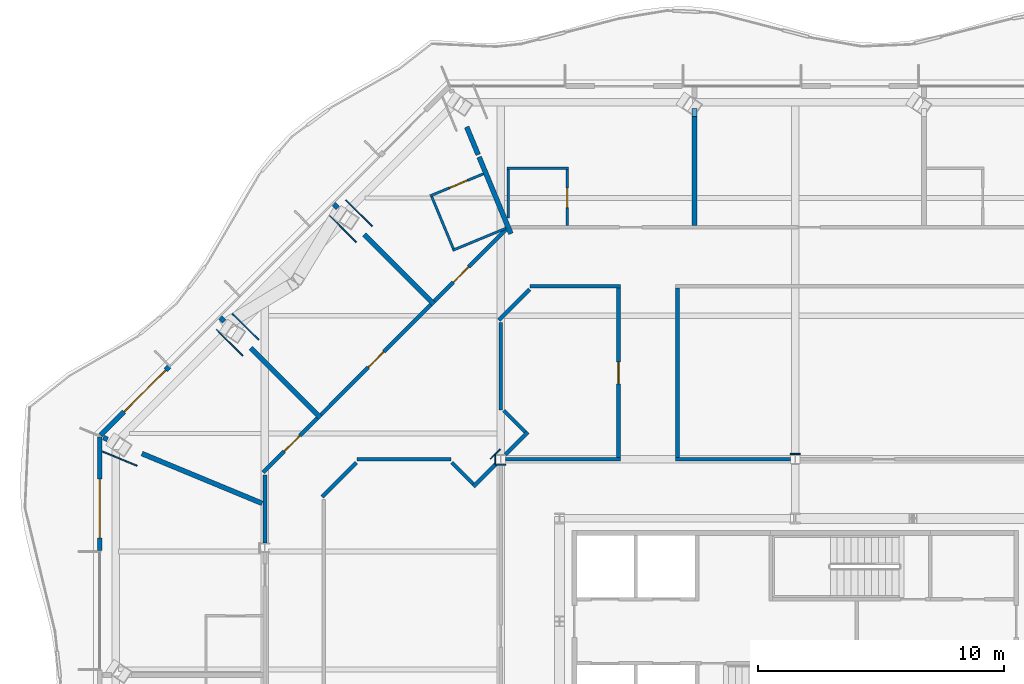
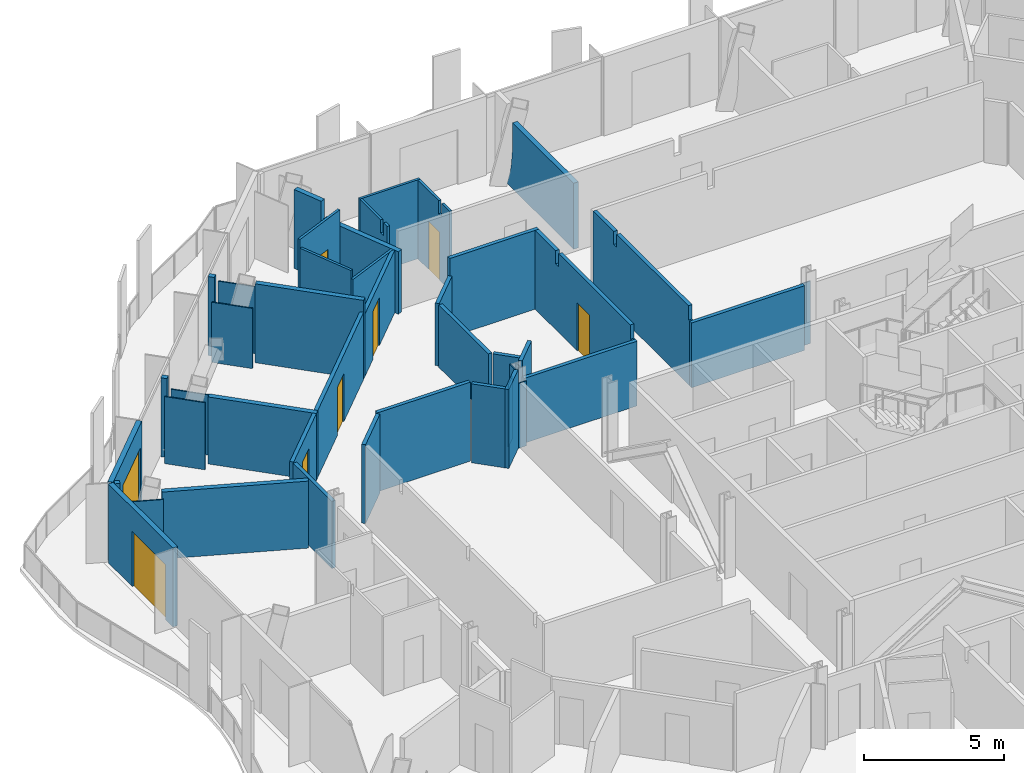
# One storey, part 12 of 22: 43 walls, 8 doors, 8 openings.
"""IFC4 building model written with IfcOpenShell, lengths in metres."""

import ifcopenshell
import ifcopenshell.guid

model = None  # the IFC model being written
_history = None  # IfcOwnerHistory: only IFC2X3 demands one
_inside = {}  # id of a spatial element -> (the spatial element, [elements in it])
_under = {}  # id of a project, library or spatial element -> (it, [spatial elements below it])
_declared = {}  # id of a project -> (the project, [libraries it declares])
_typed = {}  # id of a type object -> (the type object, [elements of that type])
_made_of = {}  # id of a material, layer set ... -> (it, [elements and type objects made of it])


def new_model(schema):
    """Start an empty IFC model of exactly this schema.

    Asked for "IFC4X3", IfcOpenShell would pick the latest addendum, in which some entities
    have other attributes; the version numbers below select the first issue.
    IFC2X3 requires an IfcOwnerHistory on every rooted entity: one is made here for all.
    """
    global model, _history
    if schema == "IFC4X3":
        model = ifcopenshell.file(schema_version=(4, 3, 0, 0))
    else:
        model = ifcopenshell.file(schema=schema)
    _inside.clear()
    _under.clear()
    _declared.clear()
    _typed.clear()
    _made_of.clear()
    _history = None
    if model.schema == "IFC2X3":
        org = make("IfcOrganization", Name="unknown")
        user = make(
            "IfcPersonAndOrganization",
            ThePerson=make("IfcPerson", FamilyName="unknown"),
            TheOrganization=org,
        )
        app = make(
            "IfcApplication",
            ApplicationDeveloper=org,
            Version="unknown",
            ApplicationFullName="unknown",
            ApplicationIdentifier="unknown",
        )
        _history = make(
            "IfcOwnerHistory",
            OwningUser=user,
            OwningApplication=app,
            ChangeAction="ADDED",
            CreationDate=0,
        )
    return model


def make(cls, **values):
    """One entity of the class cls with the attributes given. An attribute that is None is left unset."""
    return model.create_entity(
        cls, **{name: value for name, value in values.items() if value is not None}
    )


def rooted(cls, **values):
    """An entity with a GlobalId (a new one), such as an element, a storey or a relation."""
    return make(cls, GlobalId=ifcopenshell.guid.new(), OwnerHistory=_history, **values)


def si_unit(unit_type, name, prefix=None):
    """IfcSIUnit, for example si_unit("LENGTHUNIT", "METRE", prefix="MILLI")."""
    return make("IfcSIUnit", UnitType=unit_type, Prefix=prefix, Name=name)


def assignment(units):
    """IfcUnitAssignment: the units of a project."""
    return None if units is None else make("IfcUnitAssignment", Units=units)


def point(xyz):
    """IfcCartesianPoint."""
    return None if xyz is None else make("IfcCartesianPoint", Coordinates=xyz)


def direction(xyz):
    """IfcDirection."""
    return None if xyz is None else make("IfcDirection", DirectionRatios=xyz)


def frame(location, z_axis=None, x_axis=None):
    """IfcAxis2Placement3D, a coordinate frame: its origin and axes. An axis left out is left unset."""
    return make(
        "IfcAxis2Placement3D",
        Location=point(location),
        Axis=direction(z_axis),
        RefDirection=direction(x_axis),
    )


def frame_2d(location, x_axis=None):
    """IfcAxis2Placement2D, a coordinate frame in the plane: its origin and x axis."""
    return make(
        "IfcAxis2Placement2D", Location=point(location), RefDirection=direction(x_axis)
    )


def origin():
    """The frame at (0, 0, 0) with its axes left unset."""
    return frame((0.0, 0.0, 0.0))


def place(relative_to, where):
    """IfcLocalPlacement: puts the frame where relative to a parent placement (None: the world)."""
    return make(
        "IfcLocalPlacement", PlacementRelTo=relative_to, RelativePlacement=where
    )


def context(
    kind, dimensions, precision=None, world=None, true_north=None, identifier=None
):
    """IfcGeometricRepresentationContext, for example the 3D "Model" context."""
    return make(
        "IfcGeometricRepresentationContext",
        ContextIdentifier=identifier,
        ContextType=kind,
        CoordinateSpaceDimension=dimensions,
        Precision=precision,
        WorldCoordinateSystem=world,
        TrueNorth=true_north,
    )


def subcontext(parent, identifier, kind, view, scale=None):
    """IfcGeometricRepresentationSubContext, for example "Body" below "Model"."""
    return make(
        "IfcGeometricRepresentationSubContext",
        ContextIdentifier=identifier,
        ContextType=kind,
        ParentContext=parent,
        TargetScale=scale,
        TargetView=view,
    )


def project(units=None, contexts=None):
    """IfcProject with its units and contexts."""
    return rooted(
        "IfcProject",
        Name="project",
        RepresentationContexts=contexts,
        UnitsInContext=assignment(units),
    )


def spatial(cls, under=None, at=None, **own):
    """A site, building, storey or space (cls), placed at a placement, below another one or the project."""
    s = rooted(cls, ObjectPlacement=at, **own)
    if under is not None:
        _under.setdefault(under.id(), (under, []))[1].append(s)
    return s


def polyline(points):
    """IfcPolyline through the points."""
    return make("IfcPolyline", Points=[point(p) for p in points])


def profile(cls, at=None, kind="AREA", **sizes):
    """A parametric profile (cls). Its sizes go by their IFC names, for example OverallWidth=200.0."""
    return make(cls, ProfileType=kind, Position=at, **sizes)


def rectangle(**sizes):
    """IfcRectangleProfileDef."""
    return profile("IfcRectangleProfileDef", **sizes)


def outline(outer, holes=None, kind="AREA"):
    """IfcArbitraryClosedProfileDef: a profile drawn as a closed curve; with holes, ...WithVoids."""
    if holes is None:
        return make("IfcArbitraryClosedProfileDef", ProfileType=kind, OuterCurve=outer)
    return make(
        "IfcArbitraryProfileDefWithVoids",
        ProfileType=kind,
        OuterCurve=outer,
        InnerCurves=holes,
    )


def extrude(swept, where, along, depth):
    """IfcExtrudedAreaSolid: the profile swept, set in the frame where, extruded along a direction by depth."""
    return make(
        "IfcExtrudedAreaSolid",
        SweptArea=swept,
        Position=where,
        ExtrudedDirection=direction(along),
        Depth=depth,
    )


def shape(context_of_items, identifier, shape_type, items):
    """IfcShapeRepresentation: the items that make up one representation, for example the "Body"."""
    return make(
        "IfcShapeRepresentation",
        ContextOfItems=context_of_items,
        RepresentationIdentifier=identifier,
        RepresentationType=shape_type,
        Items=items,
    )


def material(Name=None, Category=None):
    """IfcMaterial."""
    return make("IfcMaterial", Name=Name, Category=Category)


def layer(
    of_material, thickness, ventilated=None, Name=None, Category=None, Priority=None
):
    """IfcMaterialLayer: one layer of a wall or slab, of a material (None: an air gap)."""
    return make(
        "IfcMaterialLayer",
        Material=of_material,
        LayerThickness=thickness,
        IsVentilated=ventilated,
        Name=Name,
        Category=Category,
        Priority=Priority,
    )


def layer_set(layers, Name=None):
    """IfcMaterialLayerSet."""
    return make("IfcMaterialLayerSet", MaterialLayers=layers, LayerSetName=Name)


def made_of(thing, what):
    """Note that an element or type object is made of a material, layer set ...; save() writes the relation."""
    if what is not None:
        _made_of.setdefault(what.id(), (what, []))[1].append(thing)
    return thing


def type_object(cls, material=None, **own):
    """A type object (cls), such as IfcWallType, which elements share."""
    return made_of(rooted(cls, **own), material)


def element(
    cls,
    number,
    at=None,
    inside=None,
    cuts=None,
    type_object=None,
    material=None,
    context=None,
    identifier="Body",
    shape_type=None,
    held_by="IfcProductDefinitionShape",
    body=None,
    shapes=None,
    **own,
):
    """One element of the class cls, such as IfcWall. Its Tag is "e" and its number.

    at: its placement. inside: the storey or other place that contains it. cuts: it is an
    opening in that element (IfcRelVoidsElement). A single representation is given by context,
    identifier, shape_type and body (its items); several are given by shapes. held_by: the class
    of the entity that holds the representations. save() writes the other relations.
    """
    e = rooted(cls, Tag="e%d" % number, ObjectPlacement=at, **own)
    if body is not None:
        shapes = [shape(context, identifier, shape_type, body)]
    if shapes is not None:
        e.Representation = make(held_by, Representations=shapes)
    if inside is not None:
        _inside.setdefault(inside.id(), (inside, []))[1].append(e)
    if cuts is not None:
        rooted(
            "IfcRelVoidsElement", RelatingBuildingElement=cuts, RelatedOpeningElement=e
        )
    if type_object is not None:
        _typed.setdefault(type_object.id(), (type_object, []))[1].append(e)
    return made_of(e, material)


def fill(opening, filler):
    """IfcRelFillsElement: the door or window that sits in an opening."""
    return rooted(
        "IfcRelFillsElement",
        RelatingOpeningElement=opening,
        RelatedBuildingElement=filler,
    )


def aggregate(whole, parts):
    """IfcRelAggregates: a whole, such as a stair, and the parts it consists of."""
    return rooted("IfcRelAggregates", RelatingObject=whole, RelatedObjects=parts)


def save(model, path):
    """Write the relations noted so far, then the file.

    IfcRelAggregates (storeys below a building ...), IfcRelContainedInSpatialStructure (elements
    in a storey), IfcRelDefinesByType, IfcRelAssociatesMaterial and IfcRelDeclares: one each for
    every whole, place, type object, material and project.
    """
    for whole, parts in _under.values():
        aggregate(whole, parts)
    for where, things in _inside.values():
        rooted(
            "IfcRelContainedInSpatialStructure",
            RelatedElements=things,
            RelatingStructure=where,
        )
    for kind, things in _typed.values():
        rooted("IfcRelDefinesByType", RelatedObjects=things, RelatingType=kind)
    for what, things in _made_of.values():
        rooted("IfcRelAssociatesMaterial", RelatedObjects=things, RelatingMaterial=what)
    for by, libraries in _declared.values():
        rooted("IfcRelDeclares", RelatingContext=by, RelatedDefinitions=libraries)
    model.write(path)


model = new_model("IFC4")

# Units and contexts
model_context = context("Model", 3, precision=1e-05, world=origin(), true_north=direction((0.0, 1.0)))
body_context = subcontext(model_context, "Body", "Model", "MODEL_VIEW")
ifc_project = project(units=[si_unit("LENGTHUNIT", "METRE"), si_unit("AREAUNIT", "SQUARE_METRE"), si_unit("VOLUMEUNIT", "CUBIC_METRE"), si_unit("PLANEANGLEUNIT", "RADIAN"), si_unit("MASSUNIT", "GRAM", prefix="KILO")], contexts=[model_context])

# Site, building, storey
site_placement = place(None, origin())
site = spatial("IfcSite", under=ifc_project, at=site_placement, CompositionType="ELEMENT")
building_placement = place(site_placement, origin())
building = spatial("IfcBuilding", under=site, at=building_placement, Name="Cairn Pilgrim Tower", CompositionType="ELEMENT")
storey_placement = place(building_placement, frame((0.0, 0.0, 175.800048828125)))
storey = spatial("IfcBuildingStorey", under=building, at=storey_placement, Name="L44", CompositionType="ELEMENT", Elevation=175.800048828125)

# Wall, opening, door
ifc_material_1 = material(Name="Bronze anodised aluminium insulated sandwich panel with mineral wool fill", Category="aluminium")
ifc_layer_1 = layer(ifc_material_1, 0.199951171875)
ifc_layer_set_1 = layer_set([ifc_layer_1], Name="BRONZE INFILL FRAME WALL 200")
wall_type_1 = type_object("IfcWallType", Name="BRONZE INFILL FRAME WALL 200", PredefinedType="NOTDEFINED", material=ifc_layer_set_1)
wall_1_placement = place(storey_placement, frame((-18.29541015625, 16.975830078125, 0.0), z_axis=(0.0, 0.0, 1.0), x_axis=(-0.707137595296, -0.707075965734, 0.0)))
wall_1 = element("IfcWall", 1, at=wall_1_placement, inside=storey, type_object=wall_type_1, Name="Bronze infill frame wall IW-NW5", PredefinedType="NOTDEFINED", context=body_context, shape_type="SweptSolid", body=[
    extrude(rectangle(XDim=3.96142578125, YDim=0.199951171875, at=frame_2d((1.980712890625, 0.0))), origin(), (0.0, 0.0, 1.0), 3.449951171875),
])
opening_1_placement = place(wall_1_placement, frame((0.199951171875, 0.0, 0.0)))
opening_1 = element("IfcOpeningElement", 2, at=opening_1_placement, cuts=wall_1, Name="Opening 4415B", PredefinedType="OPENING", context=body_context, shape_type="SweptSolid", body=[
    extrude(rectangle(XDim=2.39990234375, YDim=2.39990234375, at=frame_2d((1.199951171875, 1.199951171875))), frame((0.0, 0.10986328125, 0.0), z_axis=(0.0, -1.0, 0.0), x_axis=(1.0, 0.0, 0.0)), (0.0, 0.0, 1.0), 0.219970703125),
])
ifc_material_2 = material(Name="Bronze anodised aluminium frame with tinted low-E glass", Category="aluminium")
door_type_1 = type_object("IfcDoorType", Name="BALCONY SLIDING DOOR 2400x2400", OperationType="DOUBLE_DOOR_SLIDING", PredefinedType="DOOR", material=ifc_material_2)
door_1_placement = place(opening_1_placement, origin())
door_1 = element("IfcDoor", 3, at=door_1_placement, inside=storey, type_object=door_type_1, Name="Balcony sliding door 4415B", OperationType="SINGLE_SWING_LEFT", OverallHeight=2.39990234375, OverallWidth=2.39990234375, PredefinedType="DOOR", context=body_context, shape_type="SweptSolid", body=[
    extrude(rectangle(XDim=2.39990234375, YDim=2.39990234375, at=frame_2d((1.199951171875, 1.199951171875))), frame((0.0, 0.02490234375, 0.0), z_axis=(0.0, -1.0, 0.0), x_axis=(1.0, 0.0, 0.0)), (0.0, 0.0, 1.0), 0.050048828125),
])
fill(opening_1, door_1)

wall_2_placement = place(storey_placement, frame((-21.125, 14.1064453125, 0.0), z_axis=(0.0, 0.0, 1.0), x_axis=(0.0, -1.0, 0.0)))
wall_2 = element("IfcWall", 4, at=wall_2_placement, inside=storey, type_object=wall_type_1, Name="Bronze infill frame wall IW-W1", PredefinedType="NOTDEFINED", context=body_context, shape_type="SweptSolid", body=[
    extrude(rectangle(XDim=4.62646484375, YDim=0.199951171875, at=frame_2d((2.313232421875, 0.0))), origin(), (0.0, 0.0, 1.0), 3.449951171875),
])
opening_2_placement = place(wall_2_placement, frame((1.70849609375, 0.0, 0.0)))
opening_2 = element("IfcOpeningElement", 5, at=opening_2_placement, cuts=wall_2, Name="Opening 4416B", PredefinedType="OPENING", context=body_context, shape_type="SweptSolid", body=[
    extrude(rectangle(XDim=2.39990234375, YDim=2.39990234375, at=frame_2d((1.199951171875, 1.199951171875))), frame((0.0, 0.10986328125, 0.0), z_axis=(0.0, -1.0, 0.0), x_axis=(1.0, 0.0, 0.0)), (0.0, 0.0, 1.0), 0.219970703125),
])
door_2_placement = place(opening_2_placement, origin())
door_2 = element("IfcDoor", 6, at=door_2_placement, inside=storey, type_object=door_type_1, Name="Balcony sliding door 4416B", OperationType="SINGLE_SWING_LEFT", OverallHeight=2.39990234375, OverallWidth=2.39990234375, PredefinedType="DOOR", context=body_context, shape_type="SweptSolid", body=[
    extrude(rectangle(XDim=2.39990234375, YDim=2.39990234375, at=frame_2d((1.199951171875, 1.199951171875))), frame((0.0, 0.02490234375, 0.0), z_axis=(0.0, -1.0, 0.0), x_axis=(1.0, 0.0, 0.0)), (0.0, 0.0, 1.0), 0.050048828125),
])
fill(opening_2, door_2)

# Walls
ifc_material_3 = material(Name="Gypsum partition")
ifc_layer_2 = layer(ifc_material_3, 0.10009765625)
ifc_layer_set_2 = layer_set([ifc_layer_2], Name="PARTITION 100 DRYWALL")
wall_type_2 = type_object("IfcWallType", Name="PARTITION 100 DRYWALL", PredefinedType="PARTITIONING", material=ifc_layer_set_2)
wall_3_placement = place(storey_placement, frame((-6.753173828125, 21.712890625, 0.0), z_axis=(0.0, 0.0, 1.0), x_axis=(0.923907921622, 0.382614887798, 0.0)))
element("IfcWall", 7, at=wall_3_placement, inside=storey, type_object=wall_type_2, Name="PARTITION W110", PredefinedType="PARTITIONING", context=body_context, shape_type="SweptSolid", body=[
    extrude(rectangle(XDim=2.349365234375, YDim=0.10009765625, at=frame_2d((1.1748046875, 0.0))), origin(), (0.0, 0.0, 1.0), 2.72998046875),
])
wall_4_placement = place(storey_placement, frame((-6.726318359375, 21.7783203125, 0.0), z_axis=(0.0, 0.0, 1.0), x_axis=(-0.382911179632, 0.923785163614, 0.0)))
element("IfcWall", 8, at=wall_4_placement, inside=storey, type_object=wall_type_2, Name="PARTITION W111", PredefinedType="PARTITIONING", context=body_context, shape_type="SweptSolid", body=[
    extrude(rectangle(XDim=2.2998046875, YDim=0.10009765625, at=frame_2d((1.14990234375, 0.0))), origin(), (0.0, 0.0, 1.0), 3.070068359375),
])

# Wall, opening, door
wall_5_placement = place(storey_placement, frame((-2.090087890625, 22.72509765625, 0.0), z_axis=(0.0, 0.0, 1.0), x_axis=(0.0, 1.0, 0.0)))
wall_5 = element("IfcWall", 9, at=wall_5_placement, inside=storey, type_object=wall_type_2, Name="PARTITION W115", PredefinedType="PARTITIONING", context=body_context, shape_type="SweptSolid", body=[
    extrude(outline(polyline([(0.0, 0.0), (2.27490234375, 0.0), (2.27490234375, 3.449951171875), (0.780029296875, 3.449951171875), (0.778076171875, 2.8798828125), (0.570068359375, 2.8798828125), (0.568115234375, 3.449951171875), (0.0, 3.449951171875), (0.0, 0.0)])), frame((0.0, 0.050048828125, 0.0), z_axis=(0.0, -1.0, 0.0), x_axis=(1.0, 0.0, 0.0)), (0.0, 0.0, 1.0), 0.10009765625),
])
opening_3_placement = place(wall_5_placement, frame((0.72509765625, 0.0, 0.0)))
opening_3 = element("IfcOpeningElement", 10, at=opening_3_placement, cuts=wall_5, Name="Opening 4412A", PredefinedType="OPENING", context=body_context, shape_type="SweptSolid", body=[
    extrude(rectangle(XDim=0.800048828125, YDim=2.10009765625, at=frame_2d((0.39990234375, 1.050048828125))), frame((0.0, 0.06005859375, 0.0), z_axis=(0.0, -1.0, 0.0), x_axis=(1.0, 0.0, 0.0)), (0.0, 0.0, 1.0), 0.1201171875),
])
ifc_material_4 = material(Name="Timber door leaf", Category="wood")
door_type_2 = type_object("IfcDoorType", Name="WC DOOR 800x2100", OperationType="NOTDEFINED", PredefinedType="DOOR", material=ifc_material_4)
door_3_placement = place(opening_3_placement, frame((0.800048828125, 0.0, 0.0), z_axis=(0.0, 0.0, 1.0), x_axis=(-1.0, 0.0, 0.0)))
door_3 = element("IfcDoor", 11, at=door_3_placement, inside=storey, type_object=door_type_2, Name="DOOR 4412A", OperationType="SINGLE_SWING_LEFT", OverallHeight=2.10009765625, OverallWidth=0.800048828125, PredefinedType="DOOR", context=body_context, shape_type="SweptSolid", body=[
    extrude(rectangle(XDim=0.800048828125, YDim=2.10009765625, at=frame_2d((0.39990234375, 1.050048828125))), frame((0.0, 0.02490234375, 0.0), z_axis=(0.0, -1.0, 0.0), x_axis=(1.0, 0.0, 0.0)), (0.0, 0.0, 1.0), 0.050048828125),
])
fill(opening_3, door_3)

# Wall
wall_6_placement = place(storey_placement, frame((-4.489990234375, 23.031982421875, 0.0), z_axis=(0.0, 0.0, 1.0), x_axis=(0.0, 1.0, 0.0)))
element("IfcWall", 12, at=wall_6_placement, inside=storey, type_object=wall_type_2, Name="PARTITION W121", PredefinedType="PARTITIONING", context=body_context, shape_type="SweptSolid", body=[
    extrude(outline(polyline([(0.0, 0.0), (1.968017578125, 0.0), (1.968017578125, 3.449951171875), (0.472900390625, 3.449951171875), (0.470947265625, 2.8798828125), (0.262939453125, 2.8798828125), (0.260986328125, 3.449951171875), (0.0, 3.449951171875), (0.0, 0.0)])), frame((0.0, 0.050048828125, 0.0), z_axis=(0.0, -1.0, 0.0), x_axis=(1.0, 0.0, 0.0)), (0.0, 0.0, 1.0), 0.10009765625),
])

# Wall, opening, door
wall_7_placement = place(storey_placement, frame((-7.672119140625, 23.929931640625, 0.0), z_axis=(0.0, 0.0, 1.0), x_axis=(0.923968736757, 0.382468003231, 0.0)))
wall_7 = element("IfcWall", 13, at=wall_7_placement, inside=storey, type_object=wall_type_2, Name="PARTITION W123", PredefinedType="PARTITIONING", context=body_context, shape_type="SweptSolid", body=[
    extrude(rectangle(XDim=2.350341796875, YDim=0.10009765625, at=frame_2d((1.17529296875, 0.0))), origin(), (0.0, 0.0, 1.0), 3.449951171875),
])
opening_4_placement = place(wall_7_placement, frame((0.8505859375, 0.0, 0.0)))
opening_4 = element("IfcOpeningElement", 14, at=opening_4_placement, cuts=wall_7, Name="Opening 4413A", PredefinedType="OPENING", context=body_context, shape_type="SweptSolid", body=[
    extrude(rectangle(XDim=0.800048828125, YDim=2.10009765625, at=frame_2d((0.39990234375, 1.050048828125))), frame((0.0, 0.06005859375, 0.0), z_axis=(0.0, -1.0, 0.0), x_axis=(1.0, 0.0, 0.0)), (0.0, 0.0, 1.0), 0.1201171875),
])
door_4_placement = place(opening_4_placement, origin())
door_4 = element("IfcDoor", 15, at=door_4_placement, inside=storey, type_object=door_type_2, Name="DOOR 4413A", OperationType="SINGLE_SWING_LEFT", OverallHeight=2.10009765625, OverallWidth=0.800048828125, PredefinedType="DOOR", context=body_context, shape_type="SweptSolid", body=[
    extrude(rectangle(XDim=0.800048828125, YDim=2.10009765625, at=frame_2d((0.39990234375, 1.050048828125))), frame((0.0, 0.02490234375, 0.0), z_axis=(0.0, -1.0, 0.0), x_axis=(1.0, 0.0, 0.0)), (0.0, 0.0, 1.0), 0.050048828125),
])
fill(opening_4, door_4)

# Walls
wall_8_placement = place(storey_placement, frame((-4.5400390625, 25.050048828125, 0.0), z_axis=(0.0, 0.0, 1.0), x_axis=(1.0, 0.0, 0.0)))
element("IfcWall", 16, at=wall_8_placement, inside=storey, type_object=wall_type_2, Name="PARTITION W124", PredefinedType="PARTITIONING", context=body_context, shape_type="SweptSolid", body=[
    extrude(rectangle(XDim=2.5, YDim=0.10009765625, at=frame_2d((1.25, 0.0))), origin(), (0.0, 0.0, 1.0), 3.449951171875),
])
ifc_layer_3 = layer(ifc_material_3, 0.14990234375)
ifc_layer_set_3 = layer_set([ifc_layer_3], Name="PARTITION 150 DRYWALL EI 60")
wall_type_3 = type_object("IfcWallType", Name="PARTITION 150 DRYWALL EI 60", PredefinedType="PARTITIONING", material=ifc_layer_set_3)
wall_9_placement = place(storey_placement, frame((-14.39990234375, 9.79638671875, 0.0), z_axis=(0.0, 0.0, 1.0), x_axis=(0.0, 1.0, 0.0)))
element("IfcWall", 17, at=wall_9_placement, inside=storey, type_object=wall_type_3, Name="PARTITION W068", PredefinedType="PARTITIONING", context=body_context, shape_type="SweptSolid", body=[
    extrude(rectangle(XDim=2.7626953125, YDim=0.14990234375, at=frame_2d((1.38134765625, 0.0))), origin(), (0.0, 0.0, 1.0), 2.929931640625),
])
wall_10_placement = place(storey_placement, frame((-12.074951171875, 11.6708984375, 0.0), z_axis=(0.0, 0.0, 1.0), x_axis=(0.707045167735, 0.70716838927, 0.0)))
element("IfcWall", 18, at=wall_10_placement, inside=storey, type_object=wall_type_3, Name="PARTITION W073", PredefinedType="PARTITIONING", context=body_context, shape_type="SweptSolid", body=[
    extrude(rectangle(XDim=1.981201171875, YDim=0.14990234375, at=frame_2d((0.99072265625, 0.0))), origin(), (0.0, 0.0, 1.0), 3.449951171875),
])
wall_11_placement = place(storey_placement, frame((-5.9140625, 12.0859375, 0.0), z_axis=(0.0, 0.0, 1.0), x_axis=(0.707106781187, 0.707106781187, 0.0)))
element("IfcWall", 19, at=wall_11_placement, inside=storey, type_object=wall_type_3, Name="PARTITION W075", PredefinedType="PARTITIONING", context=body_context, shape_type="SweptSolid", body=[
    extrude(rectangle(XDim=1.29541015625, YDim=0.14990234375, at=frame_2d((0.647705078125, 0.0))), origin(), (0.0, 0.0, 1.0), 3.449951171875),
])
wall_12_placement = place(storey_placement, frame((-5.9140625, 12.192138671875, 0.0), z_axis=(0.0, 0.0, 1.0), x_axis=(-0.706812296552, 0.70740114323, 0.0)))
element("IfcWall", 20, at=wall_12_placement, inside=storey, type_object=wall_type_3, Name="PARTITION W078", PredefinedType="PARTITIONING", context=body_context, shape_type="SweptSolid", body=[
    extrude(rectangle(XDim=1.243896484375, YDim=0.14990234375, at=frame_2d((0.6220703125, 0.0))), origin(), (0.0, 0.0, 1.0), 3.449951171875),
])

# Wall, opening, door
wall_13_placement = place(storey_placement, frame((-14.47509765625, 12.6650390625, 0.0), z_axis=(0.0, 0.0, 1.0), x_axis=(0.70726258305, 0.706950944987, 0.0)))
wall_13 = element("IfcWall", 21, at=wall_13_placement, inside=storey, type_object=wall_type_3, Name="PARTITION W080", PredefinedType="PARTITIONING", context=body_context, shape_type="SweptSolid", body=[
    extrude(rectangle(XDim=3.133544921875, YDim=0.14990234375, at=frame_2d((1.56689453125, 0.0))), origin(), (0.0, 0.0, 1.0), 2.929931640625),
])
opening_5_placement = place(wall_13_placement, frame((1.219970703125, 0.0, 0.0)))
opening_5 = element("IfcOpeningElement", 22, at=opening_5_placement, cuts=wall_13, Name="Opening 4415", PredefinedType="OPENING", context=body_context, shape_type="SweptSolid", body=[
    extrude(rectangle(XDim=0.89990234375, YDim=2.10009765625, at=frame_2d((0.449951171875, 1.050048828125))), frame((0.0, 0.0849609375, 0.0), z_axis=(0.0, -1.0, 0.0), x_axis=(1.0, 0.0, 0.0)), (0.0, 0.0, 1.0), 0.169921875),
])
door_type_3 = type_object("IfcDoorType", Name="ROOM DOOR 900x2100 FD30S", OperationType="NOTDEFINED", PredefinedType="DOOR", material=ifc_material_4)
door_5_placement = place(opening_5_placement, origin())
door_5 = element("IfcDoor", 23, at=door_5_placement, inside=storey, type_object=door_type_3, Name="DOOR 4415", OperationType="SINGLE_SWING_LEFT", OverallHeight=2.10009765625, OverallWidth=0.89990234375, PredefinedType="DOOR", context=body_context, shape_type="SweptSolid", body=[
    extrude(rectangle(XDim=0.89990234375, YDim=2.10009765625, at=frame_2d((0.449951171875, 1.050048828125))), frame((0.0, 0.02490234375, 0.0), z_axis=(0.0, -1.0, 0.0), x_axis=(1.0, 0.0, 0.0)), (0.0, 0.0, 1.0), 0.050048828125),
])
fill(opening_5, door_5)

# Walls
wall_14_placement = place(storey_placement, frame((-10.652099609375, 13.199951171875, 0.0), z_axis=(0.0, 0.0, 1.0), x_axis=(1.0, 0.0, 0.0)))
element("IfcWall", 24, at=wall_14_placement, inside=storey, type_object=wall_type_3, Name="PARTITION W083", PredefinedType="PARTITIONING", context=body_context, shape_type="SweptSolid", body=[
    extrude(rectangle(XDim=3.8369140625, YDim=0.14990234375, at=frame_2d((1.91845703125, 0.0))), origin(), (0.0, 0.0, 1.0), 3.449951171875),
])
for number, where, z_axis, x_axis, name in (
    (25, (-4.6005859375, 13.199951171875, 0.0), (0.0, 0.0, 1.0), (1.0, 0.0, 0.0), "PARTITION W084"),
    (26, (2.324951171875, 13.199951171875, 0.0), (0.0, 0.0, 1.0), (1.0, 0.0, 0.0), "PARTITION W085"),
):
    element("IfcWall", number, at=place(storey_placement, frame(where, z_axis=z_axis, x_axis=x_axis)), inside=storey, type_object=wall_type_3, Name=name, PredefinedType="PARTITIONING", context=body_context, shape_type="SweptSolid", body=[
        extrude(rectangle(XDim=4.675537109375, YDim=0.14990234375, at=frame_2d((2.337890625, 0.0))), origin(), (0.0, 0.0, 1.0), 2.829833984375),
    ])

# Wall, opening, door
wall_15_placement = place(storey_placement, frame((0.0, 13.27490234375, 0.0), z_axis=(0.0, 0.0, 1.0), x_axis=(0.0, 1.0, 0.0)))
wall_15 = element("IfcWall", 27, at=wall_15_placement, inside=storey, type_object=wall_type_3, Name="PARTITION W088", PredefinedType="PARTITIONING", context=body_context, shape_type="SweptSolid", body=[
    extrude(outline(polyline([(0.0, 0.0), (6.900146484375, 0.0), (6.89990234375, 3.449951171875), (5.429931640625, 3.449951171875), (5.427978515625, 2.8798828125), (5.219970703125, 2.8798828125), (5.218017578125, 3.449951171875), (0.074951171875, 3.449951171875), (0.072998046875, 2.829833984375), (0.0, 2.829833984375), (0.0, 0.0)])), frame((0.0, 0.074951171875, 0.0), z_axis=(0.0, -1.0, 0.0), x_axis=(1.0, 0.0, 0.0)), (0.0, 0.0, 1.0), 0.14990234375),
])
opening_6_placement = place(wall_15_placement, frame((3.0, 0.0, 0.0)))
opening_6 = element("IfcOpeningElement", 28, at=opening_6_placement, cuts=wall_15, Name="Opening 4428", PredefinedType="OPENING", context=body_context, shape_type="SweptSolid", body=[
    extrude(rectangle(XDim=0.89990234375, YDim=2.10009765625, at=frame_2d((0.449951171875, 1.050048828125))), frame((0.0, 0.0849609375, 0.0), z_axis=(0.0, -1.0, 0.0), x_axis=(1.0, 0.0, 0.0)), (0.0, 0.0, 1.0), 0.169921875),
])
door_type_4 = type_object("IfcDoorType", Name="SERVICE DOOR 900x2100 FD30S", OperationType="NOTDEFINED", PredefinedType="DOOR", material=ifc_material_4)
door_6_placement = place(opening_6_placement, origin())
door_6 = element("IfcDoor", 29, at=door_6_placement, inside=storey, type_object=door_type_4, Name="DOOR 4428", OperationType="SINGLE_SWING_RIGHT", OverallHeight=2.10009765625, OverallWidth=0.89990234375, PredefinedType="DOOR", context=body_context, shape_type="SweptSolid", body=[
    extrude(rectangle(XDim=0.89990234375, YDim=2.10009765625, at=frame_2d((0.449951171875, 1.050048828125))), frame((0.0, 0.02490234375, 0.0), z_axis=(0.0, -1.0, 0.0), x_axis=(1.0, 0.0, 0.0)), (0.0, 0.0, 1.0), 0.050048828125),
])
fill(opening_6, door_6)

# Walls
wall_16_placement = place(storey_placement, frame((2.39990234375, 13.27490234375, 0.0), z_axis=(0.0, 0.0, 1.0), x_axis=(0.0, 1.0, 0.0)))
element("IfcWall", 30, at=wall_16_placement, inside=storey, type_object=wall_type_3, Name="PARTITION W089", PredefinedType="PARTITIONING", context=body_context, shape_type="SweptSolid", body=[
    extrude(outline(polyline([(0.0, 0.0), (6.900146484375, 0.0), (6.89990234375, 3.449951171875), (5.429931640625, 3.449951171875), (5.427978515625, 2.8798828125), (5.219970703125, 2.8798828125), (5.218017578125, 3.449951171875), (0.074951171875, 3.449951171875), (0.072998046875, 2.829833984375), (0.0, 2.829833984375), (0.0, 0.0)])), frame((0.0, 0.074951171875, 0.0), z_axis=(0.0, -1.0, 0.0), x_axis=(1.0, 0.0, 0.0)), (0.0, 0.0, 1.0), 0.14990234375),
])
wall_17_placement = place(storey_placement, frame((-4.60205078125, 13.39794921875, 0.0), z_axis=(0.0, 0.0, 1.0), x_axis=(0.707106781187, 0.707106781187, 0.0)))
element("IfcWall", 31, at=wall_17_placement, inside=storey, type_object=wall_type_3, Name="PARTITION W090", PredefinedType="PARTITIONING", context=body_context, shape_type="SweptSolid", body=[
    extrude(rectangle(XDim=1.2958984375, YDim=0.14990234375, at=frame_2d((0.64794921875, 0.0))), origin(), (0.0, 0.0, 1.0), 3.449951171875),
])
wall_18_placement = place(storey_placement, frame((-3.7919921875, 14.31396484375, 0.0), z_axis=(0.0, 0.0, 1.0), x_axis=(-0.707499182195, 0.706714162298, 0.0)))
element("IfcWall", 32, at=wall_18_placement, inside=storey, type_object=wall_type_3, Name="PARTITION W095", PredefinedType="PARTITIONING", context=body_context, shape_type="SweptSolid", body=[
    extrude(rectangle(XDim=1.243896484375, YDim=0.14990234375, at=frame_2d((0.6220703125, 0.0))), origin(), (0.0, 0.0, 1.0), 2.72998046875),
])

# Wall, opening, door
wall_19_placement = place(storey_placement, frame((-12.1171875, 15.021728515625, 0.0), z_axis=(0.0, 0.0, 1.0), x_axis=(0.70701050414, 0.707203045127, 0.0)))
wall_19 = element("IfcWall", 33, at=wall_19_placement, inside=storey, type_object=wall_type_3, Name="PARTITION W098", PredefinedType="PARTITIONING", context=body_context, shape_type="SweptSolid", body=[
    extrude(rectangle(XDim=6.33984375, YDim=0.14990234375, at=frame_2d((3.169921875, 0.0))), origin(), (0.0, 0.0, 1.0), 2.929931640625),
])
opening_7_placement = place(wall_19_placement, frame((2.719970703125, 0.0, 0.0)))
opening_7 = element("IfcOpeningElement", 34, at=opening_7_placement, cuts=wall_19, Name="Opening 4414", PredefinedType="OPENING", context=body_context, shape_type="SweptSolid", body=[
    extrude(rectangle(XDim=0.89990234375, YDim=2.10009765625, at=frame_2d((0.449951171875, 1.050048828125))), frame((0.0, 0.0849609375, 0.0), z_axis=(0.0, -1.0, 0.0), x_axis=(1.0, 0.0, 0.0)), (0.0, 0.0, 1.0), 0.169921875),
])
door_7_placement = place(opening_7_placement, origin())
door_7 = element("IfcDoor", 35, at=door_7_placement, inside=storey, type_object=door_type_4, Name="DOOR 4414", OperationType="SINGLE_SWING_LEFT", OverallHeight=2.10009765625, OverallWidth=0.89990234375, PredefinedType="DOOR", context=body_context, shape_type="SweptSolid", body=[
    extrude(rectangle(XDim=0.89990234375, YDim=2.10009765625, at=frame_2d((0.449951171875, 1.050048828125))), frame((0.0, 0.02490234375, 0.0), z_axis=(0.0, -1.0, 0.0), x_axis=(1.0, 0.0, 0.0)), (0.0, 0.0, 1.0), 0.050048828125),
])
fill(opening_7, door_7)

# Walls
wall_20_placement = place(storey_placement, frame((-4.800048828125, 15.215087890625, 0.0), z_axis=(0.0, 0.0, 1.0), x_axis=(0.0, 1.0, 0.0)))
element("IfcWall", 36, at=wall_20_placement, inside=storey, type_object=wall_type_3, Name="PARTITION W099", PredefinedType="PARTITIONING", context=body_context, shape_type="SweptSolid", body=[
    extrude(rectangle(XDim=3.5498046875, YDim=0.14990234375, at=frame_2d((1.77490234375, 0.0))), origin(), (0.0, 0.0, 1.0), 2.72998046875),
])
wall_21_placement = place(storey_placement, frame((-4.875, 18.87109375, 0.0), z_axis=(0.0, 0.0, 1.0), x_axis=(0.707175784043, 0.707037771595, 0.0)))
element("IfcWall", 37, at=wall_21_placement, inside=storey, type_object=wall_type_3, Name="PARTITION W102", PredefinedType="PARTITIONING", context=body_context, shape_type="SweptSolid", body=[
    extrude(rectangle(XDim=1.76904296875, YDim=0.14990234375, at=frame_2d((0.884521484375, 0.0))), origin(), (0.0, 0.0, 1.0), 2.72998046875),
])

# Wall, opening, door
wall_22_placement = place(storey_placement, frame((-7.493408203125, 19.646728515625, 0.0), z_axis=(0.0, 0.0, 1.0), x_axis=(0.707136494677, 0.707077066448, 0.0)))
wall_22 = element("IfcWall", 38, at=wall_22_placement, inside=storey, type_object=wall_type_3, Name="PARTITION W106", PredefinedType="PARTITIONING", context=body_context, shape_type="SweptSolid", body=[
    extrude(rectangle(XDim=4.108154296875, YDim=0.14990234375, at=frame_2d((2.05419921875, 0.0))), origin(), (0.0, 0.0, 1.0), 2.72998046875),
])
opening_8_placement = place(wall_22_placement, frame((1.073974609375, 0.0, 0.0)))
opening_8 = element("IfcOpeningElement", 39, at=opening_8_placement, cuts=wall_22, Name="Opening 4413", PredefinedType="OPENING", context=body_context, shape_type="SweptSolid", body=[
    extrude(rectangle(XDim=0.89990234375, YDim=2.10009765625, at=frame_2d((0.449951171875, 1.050048828125))), frame((0.0, 0.0849609375, 0.0), z_axis=(0.0, -1.0, 0.0), x_axis=(1.0, 0.0, 0.0)), (0.0, 0.0, 1.0), 0.169921875),
])
door_8_placement = place(opening_8_placement, origin())
door_8 = element("IfcDoor", 40, at=door_8_placement, inside=storey, type_object=door_type_3, Name="DOOR 4413", OperationType="SINGLE_SWING_LEFT", OverallHeight=2.10009765625, OverallWidth=0.89990234375, PredefinedType="DOOR", context=body_context, shape_type="SweptSolid", body=[
    extrude(rectangle(XDim=0.89990234375, YDim=2.10009765625, at=frame_2d((0.449951171875, 1.050048828125))), frame((0.0, 0.02490234375, 0.0), z_axis=(0.0, -1.0, 0.0), x_axis=(1.0, 0.0, 0.0)), (0.0, 0.0, 1.0), 0.050048828125),
])
fill(opening_8, door_8)

# Walls
wall_23_placement = place(storey_placement, frame((-3.60205078125, 20.25, 0.0), z_axis=(0.0, 0.0, 1.0), x_axis=(1.0, 0.0, 0.0)))
element("IfcWall", 41, at=wall_23_placement, inside=storey, type_object=wall_type_3, Name="PARTITION W107", PredefinedType="PARTITIONING", context=body_context, shape_type="SweptSolid", body=[
    extrude(rectangle(XDim=3.677001953125, YDim=0.14990234375, at=frame_2d((1.83837890625, 0.0))), origin(), (0.0, 0.0, 1.0), 3.449951171875),
])
ifc_layer_4 = layer(ifc_material_3, 0.050048828125)
ifc_layer_set_4 = layer_set([ifc_layer_4], Name="PARTITION 50 DRYWALL EI 60")
wall_type_4 = type_object("IfcWallType", Name="PARTITION 50 DRYWALL EI 60", PredefinedType="PARTITIONING", material=ifc_layer_set_4)
wall_24_placement = place(storey_placement, frame((-5.0244140625, 13.00341796875, 0.0), z_axis=(0.0, 0.0, 1.0), x_axis=(0.0, 1.0, 0.0)))
element("IfcWall", 42, at=wall_24_placement, inside=storey, type_object=wall_type_4, Name="COLUMN CASING WC24", PredefinedType="PARTITIONING", context=body_context, shape_type="SweptSolid", body=[
    extrude(rectangle(XDim=0.39306640625, YDim=0.050048828125, at=frame_2d((0.196533203125, 0.0))), origin(), (0.0, 0.0, 1.0), 3.449951171875),
])
wall_25_placement = place(storey_placement, frame((-19.612548828125, 12.939208984375, 0.0), z_axis=(0.0, 0.0, 1.0), x_axis=(-0.923851894913, 0.382750148616, 0.0)))
element("IfcWall", 43, at=wall_25_placement, inside=storey, type_object=wall_type_4, Name="COLUMN CASING WC29", PredefinedType="PARTITIONING", context=body_context, shape_type="SweptSolid", body=[
    extrude(rectangle(XDim=1.515625, YDim=0.050048828125, at=frame_2d((0.7578125, 0.0))), origin(), (0.0, 0.0, 1.0), 2.929931640625),
])
wall_26_placement = place(storey_placement, frame((-5.213623046875, 13.2177734375, 0.0), z_axis=(0.0, 0.0, 1.0), x_axis=(0.707106781187, 0.707106781187, 0.0)))
element("IfcWall", 44, at=wall_26_placement, inside=storey, type_object=wall_type_4, Name="COLUMN CASING WC30", PredefinedType="PARTITIONING", context=body_context, shape_type="SweptSolid", body=[
    extrude(rectangle(XDim=0.56005859375, YDim=0.050048828125, at=frame_2d((0.280029296875, 0.0))), origin(), (0.0, 0.0, 1.0), 2.72998046875),
])
wall_27_placement = place(storey_placement, frame((-4.99951171875, 12.978515625, 0.0), z_axis=(0.0, 0.0, 1.0), x_axis=(1.0, 0.0, 0.0)))
element("IfcWall", 45, at=wall_27_placement, inside=storey, type_object=wall_type_4, Name="COLUMN CASING WC34", PredefinedType="PARTITIONING", context=body_context, shape_type="SweptSolid", body=[
    extrude(rectangle(XDim=0.39892578125, YDim=0.050048828125, at=frame_2d((0.199462890625, 0.0))), origin(), (0.0, 0.0, 1.0), 2.829833984375),
])
wall_28_placement = place(storey_placement, frame((7.00048828125, 13.42138671875, 0.0), z_axis=(0.0, 0.0, 1.0), x_axis=(1.0, 0.0, 0.0)))
element("IfcWall", 46, at=wall_28_placement, inside=storey, type_object=wall_type_4, Name="COLUMN CASING WC35", PredefinedType="PARTITIONING", context=body_context, shape_type="SweptSolid", body=[
    extrude(rectangle(XDim=0.39892578125, YDim=0.050048828125, at=frame_2d((0.199462890625, 0.0))), origin(), (0.0, 0.0, 1.0), 2.72998046875),
])
wall_29_placement = place(storey_placement, frame((-15.3017578125, 17.415771484375, 0.0), z_axis=(0.0, 0.0, 1.0), x_axis=(-0.707026268033, 0.707187285174, 0.0)))
element("IfcWall", 47, at=wall_29_placement, inside=storey, type_object=wall_type_4, Name="COLUMN CASING WC39", PredefinedType="PARTITIONING", context=body_context, shape_type="SweptSolid", body=[
    extrude(rectangle(XDim=1.516357421875, YDim=0.050048828125, at=frame_2d((0.75830078125, 0.0))), origin(), (0.0, 0.0, 1.0), 2.929931640625),
])
wall_30_placement = place(storey_placement, frame((-14.652587890625, 18.06494140625, 0.0), z_axis=(0.0, 0.0, 1.0), x_axis=(-0.707026268033, 0.707187285174, 0.0)))
element("IfcWall", 48, at=wall_30_placement, inside=storey, type_object=wall_type_4, Name="COLUMN CASING WC40", PredefinedType="PARTITIONING", context=body_context, shape_type="SweptSolid", body=[
    extrude(rectangle(XDim=1.516357421875, YDim=0.050048828125, at=frame_2d((0.75830078125, 0.0))), origin(), (0.0, 0.0, 1.0), 2.6298828125),
])
wall_31_placement = place(storey_placement, frame((-10.677490234375, 22.0400390625, 0.0), z_axis=(0.0, 0.0, 1.0), x_axis=(-0.707106781187, 0.707106781187, 0.0)))
element("IfcWall", 49, at=wall_31_placement, inside=storey, type_object=wall_type_4, Name="COLUMN CASING WC43", PredefinedType="PARTITIONING", context=body_context, shape_type="SweptSolid", body=[
    extrude(rectangle(XDim=1.51611328125, YDim=0.050048828125, at=frame_2d((0.758056640625, 0.0))), origin(), (0.0, 0.0, 1.0), 2.6298828125),
])
wall_32_placement = place(storey_placement, frame((-10.0283203125, 22.689208984375, 0.0), z_axis=(0.0, 0.0, 1.0), x_axis=(-0.707187285174, 0.707026268033, 0.0)))
element("IfcWall", 50, at=wall_32_placement, inside=storey, type_object=wall_type_4, Name="COLUMN CASING WC44", PredefinedType="PARTITIONING", context=body_context, shape_type="SweptSolid", body=[
    extrude(rectangle(XDim=1.516357421875, YDim=0.050048828125, at=frame_2d((0.75830078125, 0.0))), origin(), (0.0, 0.0, 1.0), 2.929931640625),
])
ifc_layer_5 = layer(ifc_material_3, 0.199951171875)
ifc_layer_set_5 = layer_set([ifc_layer_5], Name="SHAFT WALL 200 GYPSUM EI 60")
wall_type_5 = type_object("IfcWallType", Name="SHAFT WALL 200 GYPSUM EI 60", PredefinedType="PARTITIONING", material=ifc_layer_set_5)
wall_33_placement = place(storey_placement, frame((-14.51318359375, 11.407958984375, 0.0), z_axis=(0.0, 0.0, 1.0), x_axis=(-0.923884829347, 0.382670644421, 0.0)))
element("IfcWall", 51, at=wall_33_placement, inside=storey, type_object=wall_type_5, Name="PARTITION W072", PredefinedType="PARTITIONING", context=body_context, shape_type="SweptSolid", body=[
    extrude(rectangle(XDim=5.29736328125, YDim=0.199951171875, at=frame_2d((2.648681640625, 0.0))), origin(), (0.0, 0.0, 1.0), 2.929931640625),
])
wall_34_placement = place(storey_placement, frame((-20.8076171875, 14.014892578125, 0.0), z_axis=(0.0, 0.0, 1.0), x_axis=(-0.92368644112, 0.383149263984, 0.0)))
element("IfcWall", 52, at=wall_34_placement, inside=storey, type_object=wall_type_5, Name="PARTITION W092", PredefinedType="PARTITIONING", context=body_context, shape_type="SweptSolid", body=[
    extrude(rectangle(XDim=0.189208984375, YDim=0.199951171875, at=frame_2d((0.0947265625, 0.0))), origin(), (0.0, 0.0, 1.0), 3.449951171875),
])
wall_35_placement = place(storey_placement, frame((-12.135009765625, 14.89794921875, 0.0), z_axis=(0.0, 0.0, 1.0), x_axis=(-0.707106781187, 0.707106781187, 0.0)))
element("IfcWall", 53, at=wall_35_placement, inside=storey, type_object=wall_type_5, Name="PARTITION W097", PredefinedType="PARTITIONING", context=body_context, shape_type="SweptSolid", body=[
    extrude(rectangle(XDim=4.01953125, YDim=0.199951171875, at=frame_2d((2.009765625, 0.0))), origin(), (0.0, 0.0, 1.0), 2.929931640625),
])
wall_36_placement = place(storey_placement, frame((-16.04931640625, 18.8125, 0.0), z_axis=(0.0, 0.0, 1.0), x_axis=(-0.707637841256, 0.706575321974, 0.0)))
element("IfcWall", 54, at=wall_36_placement, inside=storey, type_object=wall_type_5, Name="PARTITION W101", PredefinedType="PARTITIONING", context=body_context, shape_type="SweptSolid", body=[
    extrude(rectangle(XDim=0.229736328125, YDim=0.199951171875, at=frame_2d((0.11474609375, 0.0))), origin(), (0.0, 0.0, 1.0), 3.449951171875),
])
wall_37_placement = place(storey_placement, frame((-7.510986328125, 19.52294921875, 0.0), z_axis=(0.0, 0.0, 1.0), x_axis=(-0.707167526582, 0.707046030572, 0.0)))
element("IfcWall", 55, at=wall_37_placement, inside=storey, type_object=wall_type_5, Name="PARTITION W104", PredefinedType="PARTITIONING", context=body_context, shape_type="SweptSolid", body=[
    extrude(rectangle(XDim=4.018798828125, YDim=0.199951171875, at=frame_2d((2.00927734375, 0.0))), origin(), (0.0, 0.0, 1.0), 3.449951171875),
])
wall_38_placement = place(storey_placement, frame((-4.382080078125, 22.389404296875, 0.0), z_axis=(0.0, 0.0, 1.0), x_axis=(-0.382553705703, 0.923933256384, 0.0)))
element("IfcWall", 56, at=wall_38_placement, inside=storey, type_object=wall_type_5, Name="PARTITION W112", PredefinedType="PARTITIONING", context=body_context, shape_type="SweptSolid", body=[
    extrude(rectangle(XDim=3.3818359375, YDim=0.199951171875, at=frame_2d((1.69091796875, 0.0))), origin(), (0.0, 0.0, 1.0), 2.72998046875),
])
wall_39_placement = place(storey_placement, frame((3.0869140625, 22.72509765625, 0.0), z_axis=(0.0, 0.0, 1.0), x_axis=(0.0, 1.0, 0.0)))
element("IfcWall", 57, at=wall_39_placement, inside=storey, type_object=wall_type_5, Name="PARTITION W116", PredefinedType="PARTITIONING", context=body_context, shape_type="SweptSolid", body=[
    extrude(outline(polyline([(0.0, 0.0), (4.76611328125, 0.0), (4.478271484375, 0.862548828125), (4.37255859375, 1.724853515625), (4.37255859375, 2.58740234375), (4.37255859375, 2.8798828125), (0.0, 2.8798828125), (0.0, 2.58740234375), (0.0, 1.724853515625), (0.0, 0.862548828125), (0.0, 0.0)])), frame((0.0, 0.10009765625, 0.0), z_axis=(0.0, -1.0, 0.0), x_axis=(1.0, 0.0, 0.0)), (0.0, 0.0, 1.0), 0.199951171875),
])
wall_40_placement = place(storey_placement, frame((-11.42529296875, 23.4365234375, 0.0), z_axis=(0.0, 0.0, 1.0), x_axis=(-0.707637841256, 0.706575321974, 0.0)))
element("IfcWall", 58, at=wall_40_placement, inside=storey, type_object=wall_type_5, Name="PARTITION W122", PredefinedType="PARTITIONING", context=body_context, shape_type="SweptSolid", body=[
    extrude(rectangle(XDim=0.229736328125, YDim=0.199951171875, at=frame_2d((0.11474609375, 0.0))), origin(), (0.0, 0.0, 1.0), 3.449951171875),
])
wall_41_placement = place(storey_placement, frame((-5.714111328125, 25.606201171875, 0.0), z_axis=(0.0, 0.0, 1.0), x_axis=(-0.38281572922, 0.923824722261, 0.0)))
element("IfcWall", 59, at=wall_41_placement, inside=storey, type_object=wall_type_5, Name="PARTITION W126", PredefinedType="PARTITIONING", context=body_context, shape_type="SweptSolid", body=[
    extrude(rectangle(XDim=1.223876953125, YDim=0.199951171875, at=frame_2d((0.61181640625, 0.0))), origin(), (0.0, 0.0, 1.0), 3.449951171875),
])

save(model, "model.ifc")
